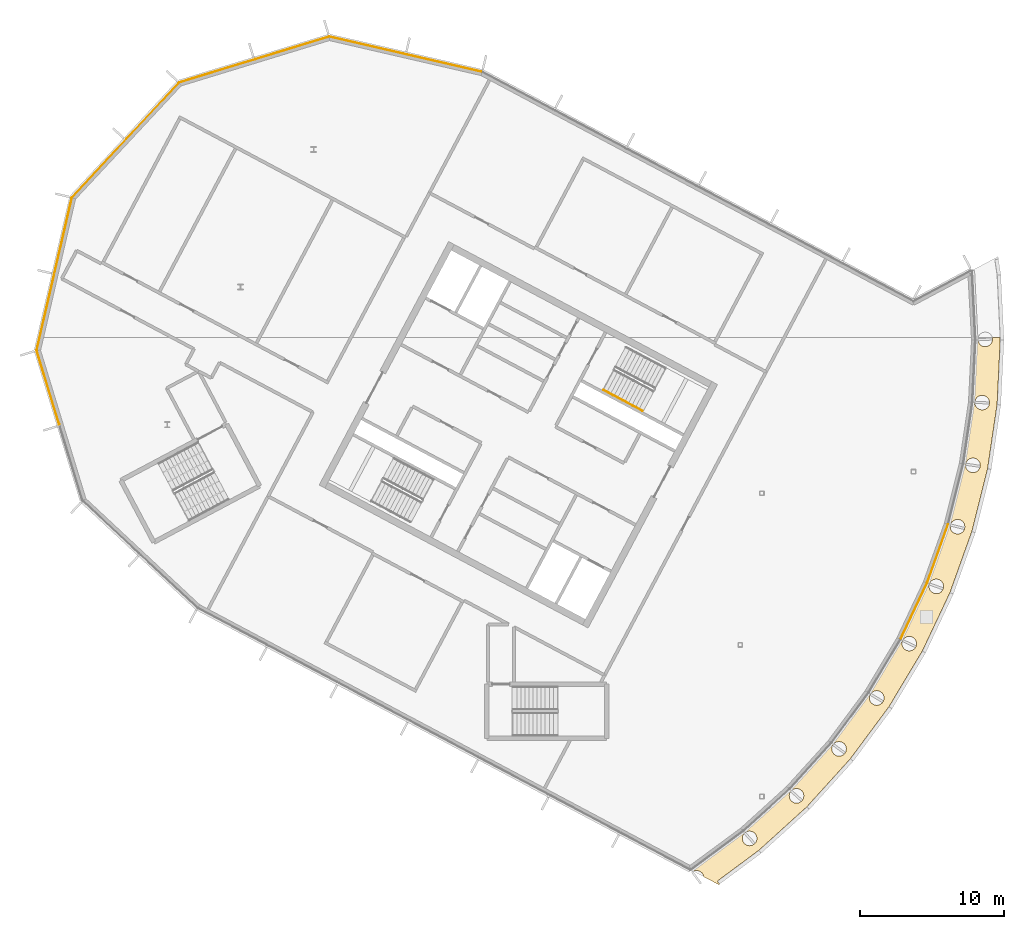
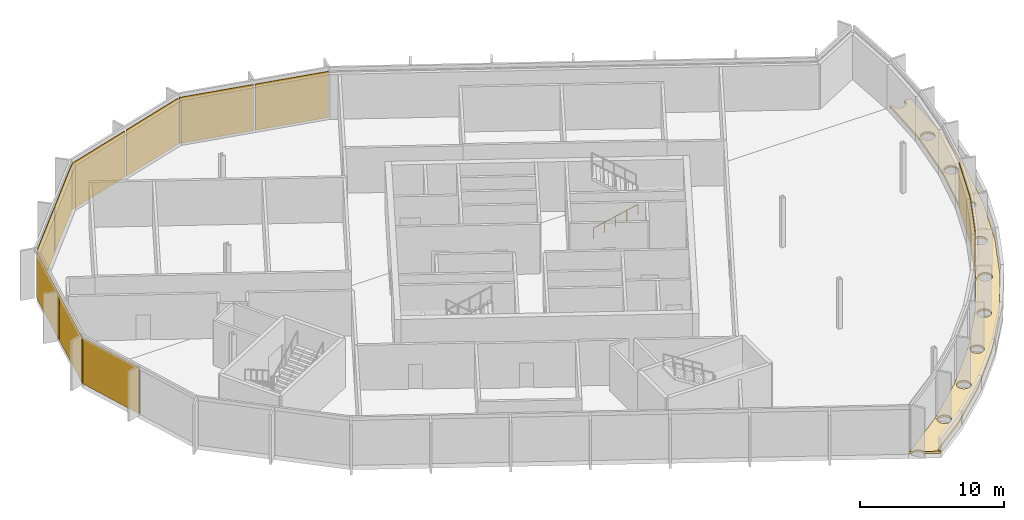
# One storey, part 13 of 15: 12 coverings, 1 railing, 7 elements without a shape of their own.
"""IFC4 building model written with IfcOpenShell, lengths in metres."""

from ifc_helpers import new_model, si_unit, direction, frame, origin, origin_2d, place, context, subcontext, project, spatial, polyline, rectangle, outline, extrude, material, layer, layer_set, type_object, element, aggregate, save


model = new_model("IFC4")

# Units and contexts
model_context = context("Model", 3, precision=1e-05, world=origin(), true_north=direction((0.0, 1.0)))
body_context = subcontext(model_context, "Body", "Model", "MODEL_VIEW")
ifc_project = project(units=[si_unit("LENGTHUNIT", "METRE"), si_unit("AREAUNIT", "SQUARE_METRE"), si_unit("VOLUMEUNIT", "CUBIC_METRE"), si_unit("PLANEANGLEUNIT", "RADIAN"), si_unit("MASSUNIT", "GRAM", prefix="KILO")], contexts=[model_context])

# Site, building, storey
site_placement = place(None, origin())
site = spatial("IfcSite", under=ifc_project, at=site_placement, CompositionType="ELEMENT")
building_placement = place(site_placement, origin())
building = spatial("IfcBuilding", under=site, at=building_placement, Name="Cormorant Relay Tower", CompositionType="ELEMENT")
storey_placement = place(building_placement, frame((0.0, 0.0, 332.39990234375)))
storey = spatial("IfcBuildingStorey", under=building, at=storey_placement, Name="C2", CompositionType="ELEMENT", Elevation=332.39990234375)

# Curtain wall, covering
ifc_material_1 = material(Name="Aluminium 6063-T6 anodised bronze", Category="aluminium")
ifc_layer_1 = layer(ifc_material_1, 0.199951171875)
ifc_layer_set_1 = layer_set([ifc_layer_1], Name="CW3 crown screen wall")
curtain_wall_type = type_object("IfcCurtainWallType", Name="CW3 crown screen wall", PredefinedType="NOTDEFINED", material=ifc_layer_set_1)
curtain_wall_1_placement = place(storey_placement, origin())
curtain_wall_1 = element("IfcCurtainWall", 1, at=curtain_wall_1_placement, inside=storey, type_object=curtain_wall_type, Name="CW3 curtain wall 7", PredefinedType="NOTDEFINED")
ifc_material_2 = material(Name="Perforated bronze anodised aluminium screen", Category="aluminium")
ifc_layer_2 = layer(ifc_material_2, 0.0400390625)
ifc_layer_set_2 = layer_set([ifc_layer_2], Name="CW3 perforated bronze screen panel 40")
covering_type_1 = type_object("IfcCoveringType", Name="CW3 perforated bronze screen panel 40", PredefinedType="CLADDING", material=ifc_layer_set_2)
covering_1_placement = place(storey_placement, frame((0.029052734375, 2.36181640625, 0.000244140625), z_axis=(0.0, 0.0, 1.0), x_axis=(0.42755509343, 0.903989293123, 0.0)))
covering_1 = element("IfcCovering", 2, at=covering_1_placement, type_object=covering_type_1, Name="CW3 panel X00", PredefinedType="CLADDING", context=body_context, shape_type="SweptSolid", body=[
    extrude(rectangle(XDim=4.242919921875, YDim=0.0400390625, at=origin_2d()), origin(), (0.0, 0.0, 1.0), 3.89990234375),
])
aggregate(curtain_wall_1, [covering_1])

curtain_wall_2_placement = place(storey_placement, origin())
curtain_wall_2 = element("IfcCurtainWall", 3, at=curtain_wall_2_placement, inside=storey, type_object=curtain_wall_type, Name="CW3 curtain wall 8", PredefinedType="NOTDEFINED")
covering_2_placement = place(storey_placement, frame((1.677001953125, 6.349609375, 0.000244140625), z_axis=(0.0, 0.0, 1.0), x_axis=(0.336889853392, 0.941544065183, 0.0)))
covering_2 = element("IfcCovering", 4, at=covering_2_placement, type_object=covering_type_1, Name="CW3 panel X00", PredefinedType="CLADDING", context=body_context, shape_type="SweptSolid", body=[
    extrude(rectangle(XDim=4.242919921875, YDim=0.0400390625, at=origin_2d()), origin(), (0.0, 0.0, 1.0), 3.89990234375),
])
aggregate(curtain_wall_2, [covering_2])

# Curtain wall, coverings
curtain_wall_3_placement = place(storey_placement, origin())
curtain_wall_3 = element("IfcCurtainWall", 5, at=curtain_wall_3_placement, inside=storey, type_object=curtain_wall_type, Name="CW3 curtain wall 15", PredefinedType="NOTDEFINED")
covering_3_placement = place(storey_placement, frame((-32.51708984375, 40.298828125, 0.000244140625), z_axis=(0.0, 0.0, 1.0), x_axis=(-0.974370064785, 0.224951054344, 0.0)))
covering_3 = element("IfcCovering", 6, at=covering_3_placement, type_object=covering_type_1, Name="CW3 panel X00", PredefinedType="CLADDING", context=body_context, shape_type="SweptSolid", body=[
    extrude(rectangle(XDim=5.28515625, YDim=0.0400390625, at=origin_2d()), origin(), (0.0, 0.0, 1.0), 3.89990234375),
])
covering_4_placement = place(storey_placement, frame((-37.849609375, 41.530029296875, 0.000244140625), z_axis=(0.0, 0.0, 1.0), x_axis=(-0.974370064785, 0.224951054344, 0.0)))
covering_4 = element("IfcCovering", 7, at=covering_4_placement, type_object=covering_type_1, Name="CW3 panel X01", PredefinedType="CLADDING", context=body_context, shape_type="SweptSolid", body=[
    extrude(rectangle(XDim=5.360107421875, YDim=0.0400390625, at=origin_2d()), origin(), (0.0, 0.0, 1.0), 3.89990234375),
])
aggregate(curtain_wall_3, [covering_3, covering_4])

curtain_wall_4_placement = place(storey_placement, origin())
curtain_wall_4 = element("IfcCurtainWall", 8, at=curtain_wall_4_placement, inside=storey, type_object=curtain_wall_type, Name="CW3 curtain wall 16", PredefinedType="NOTDEFINED")
covering_5_placement = place(storey_placement, frame((-43.0703125, 41.337890625, 0.000244140625), z_axis=(0.0, 0.0, 1.0), x_axis=(-0.956304755963, -0.292371704723, 0.0)))
covering_5 = element("IfcCovering", 9, at=covering_5_placement, type_object=covering_type_1, Name="CW3 panel X00", PredefinedType="CLADDING", context=body_context, shape_type="SweptSolid", body=[
    extrude(rectangle(XDim=5.28515625, YDim=0.0400390625, at=origin_2d()), origin(), (0.0, 0.0, 1.0), 3.89990234375),
])
covering_6_placement = place(storey_placement, frame((-48.3037109375, 39.73779296875, 0.000244140625), z_axis=(0.0, 0.0, 1.0), x_axis=(-0.956304755963, -0.292371704723, 0.0)))
covering_6 = element("IfcCovering", 10, at=covering_6_placement, type_object=covering_type_1, Name="CW3 panel X01", PredefinedType="CLADDING", context=body_context, shape_type="SweptSolid", body=[
    extrude(rectangle(XDim=5.360107421875, YDim=0.0400390625, at=origin_2d()), origin(), (0.0, 0.0, 1.0), 3.89990234375),
])
aggregate(curtain_wall_4, [covering_5, covering_6])

curtain_wall_5_placement = place(storey_placement, origin())
curtain_wall_5 = element("IfcCurtainWall", 11, at=curtain_wall_5_placement, inside=storey, type_object=curtain_wall_type, Name="CW3 curtain wall 17", PredefinedType="NOTDEFINED")
covering_7_placement = place(storey_placement, frame((-52.72900390625, 36.961181640625, 0.000244140625), z_axis=(0.0, 0.0, 1.0), x_axis=(-0.681998360062, -0.731353701619, 0.0)))
covering_7 = element("IfcCovering", 12, at=covering_7_placement, type_object=covering_type_1, Name="CW3 panel X00", PredefinedType="CLADDING", context=body_context, shape_type="SweptSolid", body=[
    extrude(rectangle(XDim=5.28515625, YDim=0.0400390625, at=origin_2d()), origin(), (0.0, 0.0, 1.0), 3.89990234375),
])
covering_8_placement = place(storey_placement, frame((-56.461181640625, 32.958984375, 0.000244140625), z_axis=(0.0, 0.0, 1.0), x_axis=(-0.681998360062, -0.731353701619, 0.0)))
covering_8 = element("IfcCovering", 13, at=covering_8_placement, type_object=covering_type_1, Name="CW3 panel X01", PredefinedType="CLADDING", context=body_context, shape_type="SweptSolid", body=[
    extrude(rectangle(XDim=5.360107421875, YDim=0.0400390625, at=origin_2d()), origin(), (0.0, 0.0, 1.0), 3.89990234375),
])
aggregate(curtain_wall_5, [covering_7, covering_8])

curtain_wall_6_placement = place(storey_placement, origin())
curtain_wall_6 = element("IfcCurtainWall", 14, at=curtain_wall_6_placement, inside=storey, type_object=curtain_wall_type, Name="CW3 curtain wall 18", PredefinedType="NOTDEFINED")
covering_9_placement = place(storey_placement, frame((-58.905517578125, 28.341796875, 0.000244140625), z_axis=(0.0, 0.0, 1.0), x_axis=(-0.224951054344, -0.974370064785, 0.0)))
covering_9 = element("IfcCovering", 15, at=covering_9_placement, type_object=covering_type_1, Name="CW3 panel X00", PredefinedType="CLADDING", context=body_context, shape_type="SweptSolid", body=[
    extrude(rectangle(XDim=5.28515625, YDim=0.0400390625, at=origin_2d()), origin(), (0.0, 0.0, 1.0), 3.89990234375),
])
covering_10_placement = place(storey_placement, frame((-60.136474609375, 23.00927734375, 0.000244140625), z_axis=(0.0, 0.0, 1.0), x_axis=(-0.224951054344, -0.974370064785, 0.0)))
covering_10 = element("IfcCovering", 16, at=covering_10_placement, type_object=covering_type_1, Name="CW3 panel X01", PredefinedType="CLADDING", context=body_context, shape_type="SweptSolid", body=[
    extrude(rectangle(XDim=5.360107421875, YDim=0.0400390625, at=origin_2d()), origin(), (0.0, 0.0, 1.0), 3.89990234375),
])
aggregate(curtain_wall_6, [covering_9, covering_10])

# Curtain wall, covering
curtain_wall_7_placement = place(storey_placement, origin())
curtain_wall_7 = element("IfcCurtainWall", 17, at=curtain_wall_7_placement, inside=storey, type_object=curtain_wall_type, Name="CW3 curtain wall 19", PredefinedType="NOTDEFINED")
covering_11_placement = place(storey_placement, frame((-59.9443359375, 17.78857421875, 0.000244140625), z_axis=(0.0, 0.0, 1.0), x_axis=(0.292371704723, -0.956304755963, 0.0)))
covering_11 = element("IfcCovering", 18, at=covering_11_placement, type_object=covering_type_1, Name="CW3 panel X00", PredefinedType="CLADDING", context=body_context, shape_type="SweptSolid", body=[
    extrude(rectangle(XDim=5.28515625, YDim=0.0400390625, at=origin_2d()), origin(), (0.0, 0.0, 1.0), 3.89990234375),
])
aggregate(curtain_wall_7, [covering_11])

# Covering
ifc_material_3 = material(Name="Bituminous waterproof membrane on mineral wool insulation")
ifc_layer_3 = layer(ifc_material_3, 0.179931640625)
ifc_layer_set_3 = layer_set([ifc_layer_3], Name="Roof membrane and insulation 180")
covering_type_2 = type_object("IfcCoveringType", Name="Roof membrane and insulation 180", PredefinedType="ROOFING", material=ifc_layer_set_3)
covering_12_placement = place(storey_placement, origin())
element("IfcCovering", 19, at=covering_12_placement, inside=storey, type_object=covering_type_2, Name="Roof membrane", PredefinedType="ROOFING", context=body_context, shape_type="SweptSolid", body=[
    extrude(outline(polyline([(-13.489013671875, -16.61181640625), (-14.530517578125, -16.05810546875), (-14.553955078125, -15.940185546875), (-14.66455078125, -15.774658203125), (-14.830078125, -15.6640625), (-15.025390625, -15.625244140625), (-15.220458984375, -15.6640625), (-15.2431640625, -15.67919921875), (-15.460693359375, -15.5634765625), (-15.3837890625, -15.517333984375), (-15.39599609375, -15.5263671875), (-15.3603515625, -15.57470703125), (-11.781494140625, -12.92041015625), (-11.811279296875, -12.88037109375), (-11.7705078125, -12.84326171875), (-11.737548828125, -12.879638671875), (-8.578857421875, -10.016845703125), (-8.612548828125, -9.979736328125), (-8.57568359375, -9.93896484375), (-8.539306640625, -9.971923828125), (-5.676513671875, -6.813232421875), (-5.71337890625, -6.77978515625), (-5.6806640625, -6.735595703125), (-5.641357421875, -6.7646484375), (-3.101806640625, -3.340576171875), (-3.14208984375, -3.310791015625), (-3.11376953125, -3.263671875), (-3.07177734375, -3.288818359375), (-0.880126953125, 0.36767578125), (-0.9228515625, 0.393310546875), (-0.8994140625, 0.443115234375), (-0.85498046875, 0.422119140625), (0.967529296875, 4.27587890625), (0.92236328125, 4.297119140625), (0.94091796875, 4.34912109375), (0.987060546875, 4.33251953125), (2.423095703125, 8.34619140625), (2.376220703125, 8.36328125), (2.389404296875, 8.41650390625), (2.43701171875, 8.404541015625), (3.472900390625, 12.539794921875), (3.42431640625, 12.552001953125), (3.432373046875, 12.6064453125), (3.48095703125, 12.59912109375), (4.1064453125, 16.81591796875), (4.056884765625, 16.823486328125), (4.059814453125, 16.87841796875), (4.108642578125, 16.8759765625), (4.31787109375, 21.1337890625), (4.267822265625, 21.13623046875), (4.26513671875, 21.191162109375), (4.314208984375, 21.193603515625), (4.308837890625, 21.300048828125), (4.48388671875, 21.300048828125), (4.456298828125, 21.16064453125), (4.4951171875, 20.96533203125), (4.605712890625, 20.7998046875), (4.771240234375, 20.689208984375), (4.966552734375, 20.650390625), (5.16162109375, 20.689208984375), (5.327392578125, 20.7998046875), (5.43798828125, 20.96533203125), (5.476806640625, 21.16064453125), (5.448974609375, 21.300048828125), (5.99853515625, 21.300048828125), (6.007080078125, 21.126220703125), (5.786865234375, 16.642822265625), (5.128173828125, 12.202880859375), (4.03759765625, 7.8486328125), (2.525390625, 3.622314453125), (0.606201171875, -0.435302734375), (-1.701416015625, -4.285400390625), (-4.37548828125, -7.890869140625), (-7.389892578125, -11.216552734375), (-10.715576171875, -14.23095703125), (-13.588623046875, -16.36181640625), (-13.43359375, -16.570556640625), (-13.489013671875, -16.61181640625)]), holes=[polyline([(4.754638671875, 16.268798828125), (4.94970703125, 16.3076171875), (5.115478515625, 16.418212890625), (5.22607421875, 16.583984375), (5.264892578125, 16.779052734375), (5.22607421875, 16.974365234375), (5.115478515625, 17.139892578125), (4.94970703125, 17.25048828125), (4.754638671875, 17.289306640625), (4.559326171875, 17.25048828125), (4.393798828125, 17.139892578125), (4.283203125, 16.974365234375), (4.244384765625, 16.779052734375), (4.283203125, 16.583984375), (4.393798828125, 16.418212890625), (4.559326171875, 16.3076171875), (4.754638671875, 16.268798828125)]), polyline([(4.1142578125, 11.92919921875), (4.3095703125, 11.968017578125), (4.47509765625, 12.07861328125), (4.585693359375, 12.244384765625), (4.62451171875, 12.439453125), (4.585693359375, 12.634765625), (4.47509765625, 12.80029296875), (4.3095703125, 12.910888671875), (4.1142578125, 12.94970703125), (3.919189453125, 12.910888671875), (3.75341796875, 12.80029296875), (3.642822265625, 12.634765625), (3.60400390625, 12.439453125), (3.642822265625, 12.244384765625), (3.75341796875, 12.07861328125), (3.919189453125, 11.968017578125), (4.1142578125, 11.92919921875)]), polyline([(3.0517578125, 7.67333984375), (3.2470703125, 7.712158203125), (3.41259765625, 7.82275390625), (3.523193359375, 7.98828125), (3.56201171875, 8.18359375), (3.523193359375, 8.37890625), (3.41259765625, 8.54443359375), (3.2470703125, 8.655029296875), (3.0517578125, 8.69384765625), (2.856689453125, 8.655029296875), (2.69091796875, 8.54443359375), (2.580322265625, 8.37890625), (2.54150390625, 8.18359375), (2.580322265625, 7.98828125), (2.69091796875, 7.82275390625), (2.856689453125, 7.712158203125), (3.0517578125, 7.67333984375)]), polyline([(1.5771484375, 3.5419921875), (1.772216796875, 3.580810546875), (1.93798828125, 3.69140625), (2.048583984375, 3.857177734375), (2.08740234375, 4.05224609375), (2.048583984375, 4.24755859375), (1.93798828125, 4.4130859375), (1.772216796875, 4.523681640625), (1.5771484375, 4.5625), (1.3818359375, 4.523681640625), (1.21630859375, 4.4130859375), (1.105712890625, 4.24755859375), (1.06689453125, 4.05224609375), (1.105712890625, 3.857177734375), (1.21630859375, 3.69140625), (1.3818359375, 3.580810546875), (1.5771484375, 3.5419921875)]), polyline([(-0.29541015625, -0.4248046875), (-0.10009765625, -0.385986328125), (0.0654296875, -0.275390625), (0.176025390625, -0.109619140625), (0.21484375, 0.08544921875), (0.176025390625, 0.28076171875), (0.0654296875, 0.4462890625), (-0.10009765625, 0.556884765625), (-0.29541015625, 0.595703125), (-0.490478515625, 0.556884765625), (-0.656005859375, 0.4462890625), (-0.7666015625, 0.28076171875), (-0.805419921875, 0.08544921875), (-0.7666015625, -0.109619140625), (-0.656005859375, -0.275390625), (-0.490478515625, -0.385986328125), (-0.29541015625, -0.4248046875)]), polyline([(-2.547607421875, -4.18896484375), (-2.352294921875, -4.150146484375), (-2.186767578125, -4.03955078125), (-2.076171875, -3.873779296875), (-2.037353515625, -3.6787109375), (-2.076171875, -3.4833984375), (-2.186767578125, -3.31787109375), (-2.352294921875, -3.207275390625), (-2.547607421875, -3.16845703125), (-2.742919921875, -3.207275390625), (-2.908447265625, -3.31787109375), (-3.01904296875, -3.4833984375), (-3.057861328125, -3.6787109375), (-3.01904296875, -3.873779296875), (-2.908447265625, -4.03955078125), (-2.742919921875, -4.150146484375), (-2.547607421875, -4.18896484375)]), polyline([(-5.157958984375, -7.71435546875), (-4.962646484375, -7.675537109375), (-4.797119140625, -7.56494140625), (-4.6865234375, -7.3994140625), (-4.647705078125, -7.2041015625), (-4.6865234375, -7.0087890625), (-4.797119140625, -6.84326171875), (-4.962646484375, -6.732666015625), (-5.157958984375, -6.69384765625), (-5.35302734375, -6.732666015625), (-5.518798828125, -6.84326171875), (-5.62939453125, -7.0087890625), (-5.668212890625, -7.2041015625), (-5.62939453125, -7.3994140625), (-5.518798828125, -7.56494140625), (-5.35302734375, -7.675537109375), (-5.157958984375, -7.71435546875)]), polyline([(-8.101318359375, -10.966796875), (-7.906005859375, -10.927978515625), (-7.740478515625, -10.8173828125), (-7.6298828125, -10.65185546875), (-7.591064453125, -10.45654296875), (-7.6298828125, -10.261474609375), (-7.740478515625, -10.095703125), (-7.906005859375, -9.985107421875), (-8.101318359375, -9.9462890625), (-8.29638671875, -9.985107421875), (-8.462158203125, -10.095703125), (-8.57275390625, -10.261474609375), (-8.611572265625, -10.45654296875), (-8.57275390625, -10.65185546875), (-8.462158203125, -10.8173828125), (-8.29638671875, -10.927978515625), (-8.101318359375, -10.966796875)]), polyline([(-11.34912109375, -13.9150390625), (-11.154052734375, -13.876220703125), (-10.98828125, -13.765625), (-10.877685546875, -13.60009765625), (-10.839111328125, -13.40478515625), (-10.877685546875, -13.209716796875), (-10.98828125, -13.044189453125), (-11.154052734375, -12.93359375), (-11.34912109375, -12.894775390625), (-11.54443359375, -12.93359375), (-11.7099609375, -13.044189453125), (-11.820556640625, -13.209716796875), (-11.859375, -13.40478515625), (-11.820556640625, -13.60009765625), (-11.7099609375, -13.765625), (-11.54443359375, -13.876220703125), (-11.34912109375, -13.9150390625)])]), origin(), (0.0, 0.0, 1.0), 0.18017578125),
])

# Railing
ifc_material_4 = material(Name="Steel ASTM A572 Grade 50 (Fy 345 MPa)", Category="steel")
railing_type = type_object("IfcRailingType", Name="Stair handrail 900", PredefinedType="HANDRAIL", material=ifc_material_4)
railing_placement = place(storey_placement, frame((-21.478271484375, 17.6494140625, 0.175048828125)))
element("IfcRailing", 20, at=railing_placement, inside=storey, type_object=railing_type, Name="C2 A1 stair handrail 1", PredefinedType="HANDRAIL", context=body_context, shape_type="SweptSolid", body=[
    extrude(outline(polyline([(0.022216796875, 0.00927734375), (0.00927734375, 0.022216796875), (-0.00927734375, 0.022216796875), (-0.022216796875, 0.00927734375), (-0.022216796875, -0.00927734375), (-0.00927734375, -0.022216796875), (0.00927734375, -0.022216796875), (0.022216796875, -0.00927734375), (0.022216796875, 0.00927734375)])), frame((0.0, 0.0, 0.8759765625), z_axis=(0.748727239859, -0.398124736663, 0.530003975787), x_axis=(0.469489399267, 0.882938108802, 0.0)), (0.0, 0.0, 1.0), 3.632080078125),
    extrude(outline(polyline([(0.019287109375, 0.008056640625), (0.008056640625, 0.019287109375), (-0.008056640625, 0.019287109375), (-0.019287109375, 0.008056640625), (-0.019287109375, -0.008056640625), (-0.008056640625, -0.019287109375), (0.008056640625, -0.019287109375), (0.019287109375, -0.008056640625), (0.019287109375, 0.008056640625)])), origin(), (0.0, 0.0, 1.0), 0.851806640625),
    extrude(outline(polyline([(0.019287109375, 0.008056640625), (0.008056640625, 0.019287109375), (-0.008056640625, 0.019287109375), (-0.019287109375, 0.008056640625), (-0.019287109375, -0.008056640625), (-0.008056640625, -0.019287109375), (0.008056640625, -0.019287109375), (0.019287109375, -0.008056640625), (0.019287109375, 0.008056640625)])), frame((0.679931640625, -0.361572265625, 0.481201171875)), (0.0, 0.0, 1.0), 0.851806640625),
    extrude(outline(polyline([(0.019287109375, 0.008056640625), (0.008056640625, 0.019287109375), (-0.008056640625, 0.019287109375), (-0.019287109375, 0.008056640625), (-0.019287109375, -0.008056640625), (-0.008056640625, -0.019287109375), (0.008056640625, -0.019287109375), (0.019287109375, -0.008056640625), (0.019287109375, 0.008056640625)])), frame((1.35986328125, -0.72314453125, 0.96240234375)), (0.0, 0.0, 1.0), 0.851806640625),
    extrude(outline(polyline([(0.019287109375, 0.008056640625), (0.008056640625, 0.019287109375), (-0.008056640625, 0.019287109375), (-0.019287109375, 0.008056640625), (-0.019287109375, -0.008056640625), (-0.008056640625, -0.019287109375), (0.008056640625, -0.019287109375), (0.019287109375, -0.008056640625), (0.019287109375, 0.008056640625)])), frame((2.03955078125, -1.08447265625, 1.44384765625)), (0.0, 0.0, 1.0), 0.851806640625),
    extrude(outline(polyline([(0.019287109375, 0.008056640625), (0.008056640625, 0.019287109375), (-0.008056640625, 0.019287109375), (-0.019287109375, 0.008056640625), (-0.019287109375, -0.008056640625), (-0.008056640625, -0.019287109375), (0.008056640625, -0.019287109375), (0.019287109375, -0.008056640625), (0.019287109375, 0.008056640625)])), frame((2.719482421875, -1.446044921875, 1.925048828125)), (0.0, 0.0, 1.0), 0.851806640625),
])

save(model, "model.ifc")
